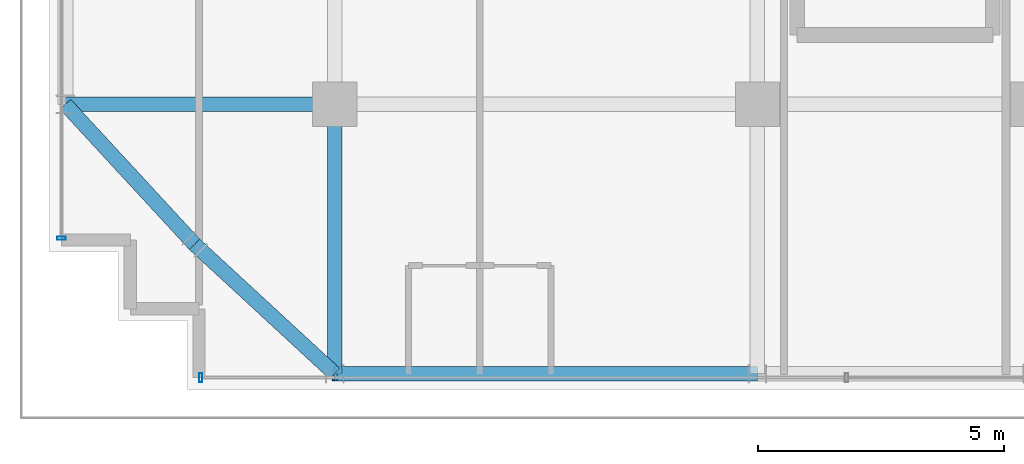
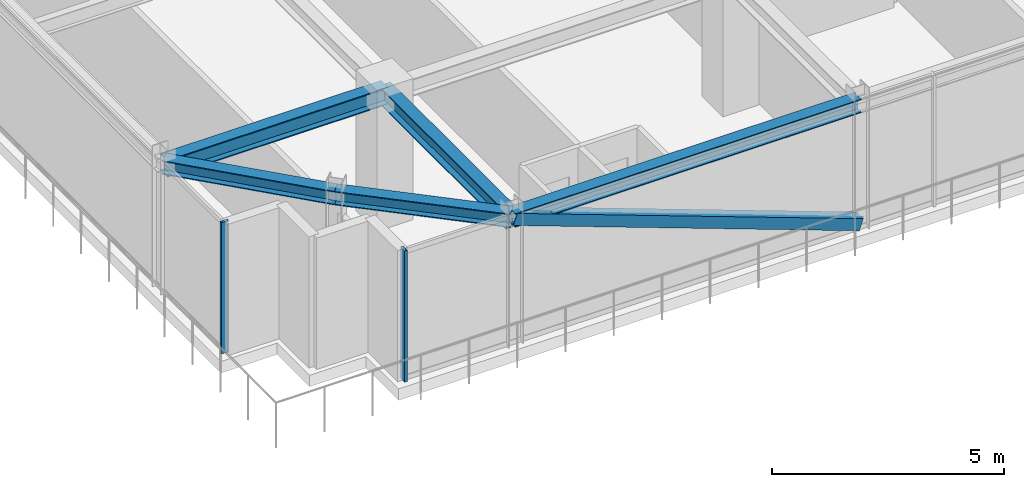
# One storey, part 4 of 32: 5 beams, 3 members, 2 elements without a shape of their own.
"""IFC4 building model written with IfcOpenShell, lengths in metres."""

from ifc_helpers import new_model, si_unit, direction, frame, origin, origin_2d, place, context, subcontext, project, spatial, hollow_rectangle, i_section, extrude, source, transform, mapped, material, material_profile, profile_set, type_object, element, aggregate, save


model = new_model("IFC4")

# Units and contexts
model_context = context("Model", 3, precision=1e-05, world=origin(), true_north=direction((0.0, 1.0)))
body_context = subcontext(model_context, "Body", "Model", "MODEL_VIEW")
ifc_project = project(units=[si_unit("LENGTHUNIT", "METRE"), si_unit("AREAUNIT", "SQUARE_METRE"), si_unit("VOLUMEUNIT", "CUBIC_METRE"), si_unit("PLANEANGLEUNIT", "RADIAN"), si_unit("MASSUNIT", "GRAM", prefix="KILO")], contexts=[model_context])

# Site, building, storey
site_placement = place(None, origin())
site = spatial("IfcSite", under=ifc_project, at=site_placement, CompositionType="ELEMENT")
building_placement = place(site_placement, origin())
building = spatial("IfcBuilding", under=site, at=building_placement, Name="Nahalor Promenade Grand Hotel", CompositionType="ELEMENT")
storey_placement = place(building_placement, frame((0.0, 0.0, 266.300048828125)))
storey = spatial("IfcBuildingStorey", under=building, at=storey_placement, Name="L68", CompositionType="ELEMENT", Elevation=266.300048828125)

# Beams
ifc_material_1 = material(Name="Steel S355JR", Category="steel")
ifc_material_profile_1 = material_profile(ifc_material_1, i_section(OverallWidth=0.3, OverallDepth=0.45, WebThickness=0.014, FlangeThickness=0.026, at=origin_2d()), Name="HEB 450")
ifc_profile_set_1 = profile_set([ifc_material_profile_1], Name="Steel S355JR")
beam_type_1 = type_object("IfcBeamType", Name="Beam-Girder-HEB450", PredefinedType="BEAM", material=ifc_profile_set_1)
shared_shape_1 = source(origin(), body_context, "Body", "SweptSolid", [
    extrude(i_section(OverallWidth=0.3, OverallDepth=0.45, WebThickness=0.014, FlangeThickness=0.026, at=origin_2d()), origin(), (0.0, 0.0, 1.0), 5.47998046875),
])
for number, where, z_axis, x_axis, name in (
    (1, (-22.47998046875, -17.0, 3.224853515625), (1.0, 0.0, 0.0), (0.0, 1.0, 0.0), "BM-L68-GX-0-0"),
    (2, (-17.0, -22.47998046875, 3.224853515625), (0.0, 1.0, 0.0), (-1.0, 0.0, 0.0), "BM-L68-GY-0-0"),
):
    element("IfcBeam", number, at=place(storey_placement, frame(where, z_axis=z_axis, x_axis=x_axis)), inside=storey, type_object=beam_type_1, Name=name, PredefinedType="BEAM", context=body_context, shape_type="MappedRepresentation", body=[
        mapped(shared_shape_1, transform((0.0, 0.0, 0.0), scale=1.0)),
    ])
ifc_material_profile_2 = material_profile(ifc_material_1, i_section(OverallWidth=0.3, OverallDepth=0.36, WebThickness=0.0125, FlangeThickness=0.0225, at=origin_2d()), Name="HEB 360")
ifc_profile_set_2 = profile_set([ifc_material_profile_2], Name="Steel S355JR")
beam_type_2 = type_object("IfcBeamType", Name="Beam-Spandrel-HEB360", PredefinedType="SPANDREL", material=ifc_profile_set_2)
shared_shape_2 = source(origin(), body_context, "Body", "SweptSolid", [
    extrude(i_section(OverallWidth=0.3, OverallDepth=0.36, WebThickness=0.0125, FlangeThickness=0.0225, at=origin_2d()), origin(), (0.0, 0.0, 1.0), 8.60009765625),
])
beam_placement = place(storey_placement, frame((-17.0, -22.47998046875, 3.27001953125), z_axis=(1.0, 0.0, 0.0), x_axis=(0.0, 1.0, 0.0)))
element("IfcBeam", 3, at=beam_placement, inside=storey, type_object=beam_type_2, Name="BM-L68-SP-S-0", PredefinedType="SPANDREL", context=body_context, shape_type="MappedRepresentation", body=[
    mapped(shared_shape_2, transform((0.0, 0.0, 0.0), scale=1.0)),
])
shared_shape_3 = source(origin(), body_context, "Body", "SweptSolid", [
    extrude(i_section(OverallWidth=0.3, OverallDepth=0.36, WebThickness=0.0125, FlangeThickness=0.0225, at=origin_2d()), origin(), (0.0, 0.0, 1.0), 3.878173828125),
])
for number, where, z_axis, x_axis, name in (
    (4, (-17.0, -22.47998046875, 3.27001953125), (-0.73492893846, 0.678144125843, 0.0), (-0.678144125843, -0.73492893846, 0.0), "BM-L68-SPC-SW-1"),
    (5, (-19.85009765625, -19.85009765625, 3.27001953125), (-0.678144125843, 0.73492893846, 0.0), (-0.73492893846, -0.678144125843, 0.0), "BM-L68-SPC-SW-2"),
):
    element("IfcBeam", number, at=place(storey_placement, frame(where, z_axis=z_axis, x_axis=x_axis)), inside=storey, type_object=beam_type_2, Name=name, PredefinedType="SPANDREL", context=body_context, shape_type="MappedRepresentation", body=[
        mapped(shared_shape_3, transform((0.0, 0.0, 0.0), scale=1.0)),
    ])

# Member
ifc_material_profile_3 = material_profile(ifc_material_1, hollow_rectangle(XDim=0.3, YDim=0.3, WallThickness=0.016, at=origin_2d()), Name="SHS 300x300x16")
ifc_profile_set_3 = profile_set([ifc_material_profile_3], Name="Steel S355JR")
member_type_1 = type_object("IfcMemberType", Name="Mem-CrownBrace-SHS300", PredefinedType="BRACE", material=ifc_profile_set_3)
shared_shape_4 = source(origin(), body_context, "Body", "SweptSolid", [
    extrude(hollow_rectangle(XDim=0.3, YDim=0.3, WallThickness=0.016, at=origin_2d()), origin(), (0.0, 0.0, 1.0), 9.158935546875),
])
member_1_placement = place(storey_placement, frame((-8.39990234375, -22.47998046875, 0.14990234375), z_axis=(-0.938989990654, 0.0, 0.343944468558), x_axis=(0.0, -1.0, 0.0)))
element("IfcMember", 6, at=member_1_placement, inside=storey, type_object=member_type_1, Name="EXO-L68-S-0", PredefinedType="BRACE", context=body_context, shape_type="MappedRepresentation", body=[
    mapped(shared_shape_4, transform((0.0, 0.0, 0.0), scale=1.0)),
])

# Curtain wall, member
ifc_material_2 = material(Name="Anodised Bronze Aluminium EN AW-6063 T6", Category="aluminium")
curtain_wall_type = type_object("IfcCurtainWallType", Name="CW2 Typical Hotel Flush Bronze Unitised Curtain Wall", PredefinedType="USERDEFINED", material=ifc_material_2)
curtain_wall_1_placement = place(storey_placement, origin())
curtain_wall_1 = element("IfcCurtainWall", 7, at=curtain_wall_1_placement, inside=storey, type_object=curtain_wall_type, Name="L68 Curtain Wall CW-L68-S-1", ObjectType="UNITISED_CURTAIN_WALL", PredefinedType="USERDEFINED")
ifc_material_profile_4 = material_profile(ifc_material_2, hollow_rectangle(XDim=0.065, YDim=0.18, WallThickness=0.004, at=origin_2d()), Name="CWM 65x180x4")
ifc_profile_set_4 = profile_set([ifc_material_profile_4], Name="Anodised Bronze Aluminium EN AW-6063 T6")
member_type_2 = type_object("IfcMemberType", Name="CWM2 Typical Bronze Mullion 65x180", PredefinedType="MULLION", material=ifc_profile_set_4)
shared_shape_5 = source(origin(), body_context, "Body", "SweptSolid", [
    extrude(hollow_rectangle(XDim=0.065, YDim=0.18, WallThickness=0.004, at=origin_2d()), origin(), (0.0, 0.0, 1.0), 3.449951171875),
])
member_2_placement = place(storey_placement, frame((-19.7275390625, -22.56005859375, 0.0), z_axis=(0.0, 0.0, 1.0), x_axis=(1.0, 0.0, 0.0)))
member_2 = element("IfcMember", 8, at=member_2_placement, type_object=member_type_2, Name="CW-L68-S-1 Mullion 0", PredefinedType="MULLION", context=body_context, shape_type="MappedRepresentation", body=[
    mapped(shared_shape_5, transform((0.0, 0.0, 0.0), scale=1.0)),
])
aggregate(curtain_wall_1, [member_2])

curtain_wall_2_placement = place(storey_placement, origin())
curtain_wall_2 = element("IfcCurtainWall", 9, at=curtain_wall_2_placement, inside=storey, type_object=curtain_wall_type, Name="L68 Curtain Wall CW-L68-W-1", ObjectType="UNITISED_CURTAIN_WALL", PredefinedType="USERDEFINED")
member_3_placement = place(storey_placement, frame((-22.56005859375, -19.7275390625, 0.0), z_axis=(0.0, 0.0, 1.0), x_axis=(0.0, 1.0, 0.0)))
member_3 = element("IfcMember", 10, at=member_3_placement, type_object=member_type_2, Name="CW-L68-W-1 Mullion 0", PredefinedType="MULLION", context=body_context, shape_type="MappedRepresentation", body=[
    mapped(shared_shape_5, transform((0.0, 0.0, 0.0), scale=1.0)),
])
aggregate(curtain_wall_2, [member_3])

save(model, "model.ifc")
